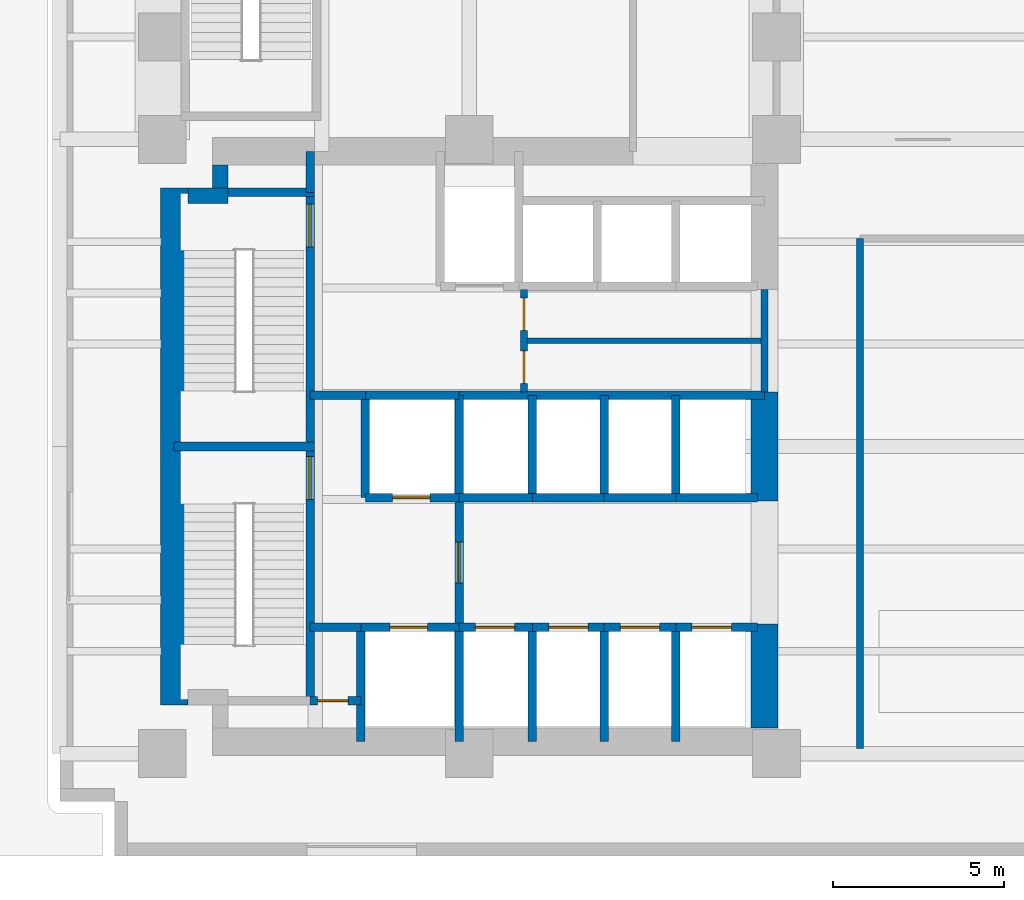
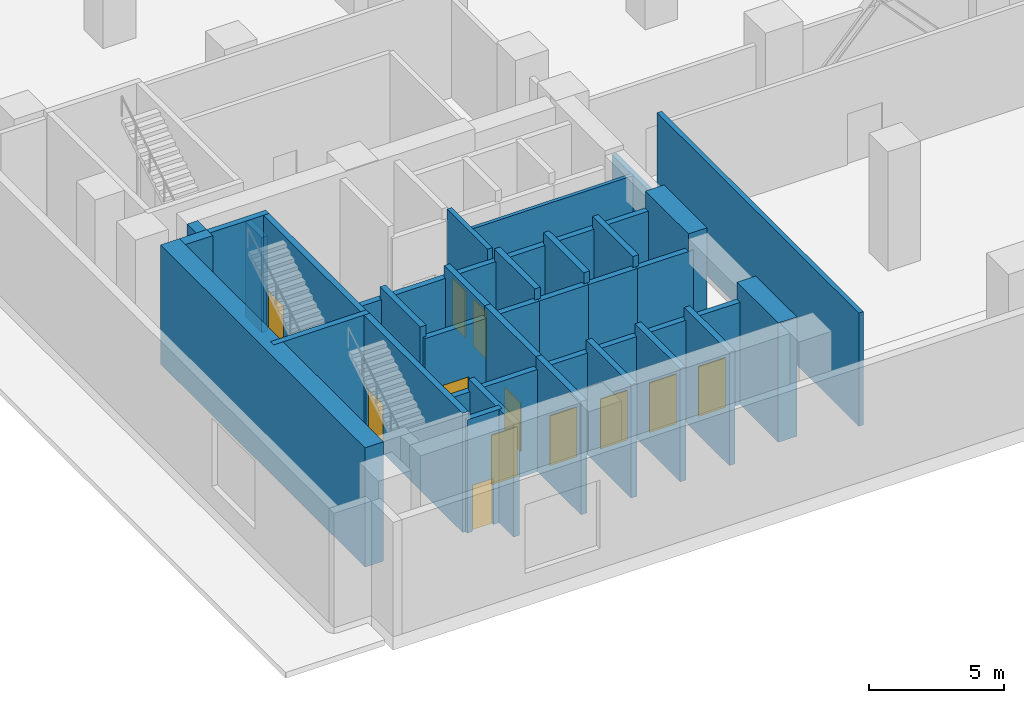
# One storey, part 5 of 8: 40 walls, 12 doors, 12 openings.
"""IFC4 building model written with IfcOpenShell, lengths in metres."""

from ifc_helpers import new_model, si_unit, direction, frame, frame_2d, origin, place, context, subcontext, project, spatial, rectangle, extrude, material, layer, layer_set, type_object, element, fill, save


model = new_model("IFC4")

# Units and contexts
model_context = context("Model", 3, precision=1e-05, world=origin(), true_north=direction((0.0, 1.0)))
body_context = subcontext(model_context, "Body", "Model", "MODEL_VIEW")
ifc_project = project(units=[si_unit("LENGTHUNIT", "METRE"), si_unit("AREAUNIT", "SQUARE_METRE"), si_unit("VOLUMEUNIT", "CUBIC_METRE"), si_unit("PLANEANGLEUNIT", "RADIAN"), si_unit("MASSUNIT", "GRAM", prefix="KILO")], contexts=[model_context])

# Site, building, storey
site_placement = place(None, origin())
site = spatial("IfcSite", under=ifc_project, at=site_placement, CompositionType="ELEMENT")
building_placement = place(site_placement, origin())
building = spatial("IfcBuilding", under=site, at=building_placement, Name="Mawjdan Bourse Tower", CompositionType="ELEMENT")
storey_placement = place(building_placement, frame((0.0, 0.0, 16.199951171875)))
storey = spatial("IfcBuildingStorey", under=building, at=storey_placement, Name="L03", CompositionType="ELEMENT", Elevation=16.199951171875)

# Wall, openings, doors
ifc_material_1 = material(Name="Gypsum Fireboard Assembly")
ifc_layer_1 = layer(ifc_material_1, 0.199951171875)
ifc_layer_set_1 = layer_set([ifc_layer_1], Name="Gypsum Fireboard Assembly")
wall_type_1 = type_object("IfcWallType", Name="WL-CMP-200", PredefinedType="PARTITIONING", material=ifc_layer_set_1)
wall_1_placement = place(storey_placement, frame((16.60009765625, 13.60009765625, 0.0), z_axis=(0.0, 0.0, 1.0), x_axis=(0.0, 1.0, 0.0)))
wall_1 = element("IfcWall", 1, at=wall_1_placement, inside=storey, type_object=wall_type_1, Name="L03 Core Restroom West Wall", PredefinedType="PARTITIONING", context=body_context, shape_type="SweptSolid", body=[
    extrude(rectangle(XDim=3.0, YDim=0.199951171875, at=frame_2d((1.5, 0.0))), origin(), (0.0, 0.0, 1.0), 5.130126953125),
])
opening_1_placement = place(wall_1_placement, frame((0.25, 0.0, 0.0)))
opening_1 = element("IfcOpeningElement", 2, at=opening_1_placement, cuts=wall_1, Name="Opening D-L03-14", PredefinedType="OPENING", context=body_context, shape_type="SweptSolid", body=[
    extrude(rectangle(XDim=0.949951171875, YDim=2.10009765625, at=frame_2d((0.47509765625, 1.050048828125))), frame((0.0, 0.10986328125, 0.0), z_axis=(0.0, -1.0, 0.0), x_axis=(1.0, 0.0, 0.0)), (0.0, 0.0, 1.0), 0.219970703125),
])
opening_2_placement = place(wall_1_placement, frame((1.800048828125, 0.0, 0.0)))
opening_2 = element("IfcOpeningElement", 3, at=opening_2_placement, cuts=wall_1, Name="Opening D-L03-15", PredefinedType="OPENING", context=body_context, shape_type="SweptSolid", body=[
    extrude(rectangle(XDim=0.949951171875, YDim=2.10009765625, at=frame_2d((0.47509765625, 1.050048828125))), frame((0.0, 0.10986328125, 0.0), z_axis=(0.0, -1.0, 0.0), x_axis=(1.0, 0.0, 0.0)), (0.0, 0.0, 1.0), 0.219970703125),
])
ifc_material_2 = material(Name="Moisture-Resistant Laminate Timber", Category="wood")
door_type_1 = type_object("IfcDoorType", Name="DR-WET-0950", OperationType="NOTDEFINED", PredefinedType="DOOR", material=ifc_material_2)
door_1_placement = place(opening_1_placement, origin())
door_1 = element("IfcDoor", 4, at=door_1_placement, inside=storey, type_object=door_type_1, Name="L03 Accessible WC Entry Door D-L03-14", OperationType="SINGLE_SWING_RIGHT", OverallHeight=2.10009765625, OverallWidth=0.949951171875, PredefinedType="DOOR", context=body_context, shape_type="SweptSolid", body=[
    extrude(rectangle(XDim=0.949951171875, YDim=2.10009765625, at=frame_2d((0.47509765625, 1.050048828125))), frame((0.0, 0.02490234375, 0.0), z_axis=(0.0, -1.0, 0.0), x_axis=(1.0, 0.0, 0.0)), (0.0, 0.0, 1.0), 0.050048828125),
])
fill(opening_1, door_1)
door_2_placement = place(opening_2_placement, origin())
door_2 = element("IfcDoor", 5, at=door_2_placement, inside=storey, type_object=door_type_1, Name="L03 Male Restroom Entry Door D-L03-15", OperationType="SINGLE_SWING_LEFT", OverallHeight=2.10009765625, OverallWidth=0.949951171875, PredefinedType="DOOR", context=body_context, shape_type="SweptSolid", body=[
    extrude(rectangle(XDim=0.949951171875, YDim=2.10009765625, at=frame_2d((0.47509765625, 1.050048828125))), frame((0.0, 0.02490234375, 0.0), z_axis=(0.0, -1.0, 0.0), x_axis=(1.0, 0.0, 0.0)), (0.0, 0.0, 1.0), 0.050048828125),
])
fill(opening_2, door_2)

# Walls
wall_2_placement = place(storey_placement, frame((23.64990234375, 13.60009765625, 0.0), z_axis=(0.0, 0.0, 1.0), x_axis=(0.0, 1.0, 0.0)))
element("IfcWall", 6, at=wall_2_placement, inside=storey, type_object=wall_type_1, Name="L03 Core Restroom East Enclosing Wall", PredefinedType="PARTITIONING", context=body_context, shape_type="SweptSolid", body=[
    extrude(rectangle(XDim=3.0, YDim=0.199951171875, at=frame_2d((1.5, 0.0))), origin(), (0.0, 0.0, 1.0), 5.130126953125),
])
wall_3_placement = place(storey_placement, frame((26.449951171875, 3.14990234375, 0.0), z_axis=(0.0, 0.0, 1.0), x_axis=(0.0, 1.0, 0.0)))
element("IfcWall", 7, at=wall_3_placement, inside=storey, type_object=wall_type_1, Name="L03 Surveillance West Corridor Wall", PredefinedType="PARTITIONING", context=body_context, shape_type="SweptSolid", body=[
    extrude(rectangle(XDim=14.9501953125, YDim=0.199951171875, at=frame_2d((7.47509765625, 0.0))), origin(), (0.0, 0.0, 1.0), 5.130126953125),
])
ifc_material_3 = material(Name="Concrete C60/75", Category="concrete")
ifc_layer_2 = layer(ifc_material_3, 0.449951171875)
ifc_layer_set_2 = layer_set([ifc_layer_2], Name="Concrete C60/75")
wall_type_2 = type_object("IfcWallType", Name="WL-CORE-450", PredefinedType="SHEAR", material=ifc_layer_set_2)
wall_4_placement = place(storey_placement, frame((6.75, 19.35009765625, 0.0), z_axis=(0.0, 0.0, 1.0), x_axis=(1.0, 0.0, 0.0)))
element("IfcWall", 8, at=wall_4_placement, inside=storey, type_object=wall_type_2, Name="L03 Rear Core Shear Wall NW-X", PredefinedType="SHEAR", context=body_context, shape_type="SweptSolid", body=[
    extrude(rectangle(XDim=1.175048828125, YDim=0.449951171875, at=frame_2d((0.58740234375, 0.0))), origin(), (0.0, 0.0, 1.0), 5.400146484375),
])
wall_5_placement = place(storey_placement, frame((7.699951171875, 19.574951171875, 0.0), z_axis=(0.0, 0.0, 1.0), x_axis=(0.0, 1.0, 0.0)))
element("IfcWall", 9, at=wall_5_placement, inside=storey, type_object=wall_type_2, Name="L03 Rear Core Shear Wall NW-Y", PredefinedType="SHEAR", context=body_context, shape_type="SweptSolid", body=[
    extrude(rectangle(XDim=0.675048828125, YDim=0.449951171875, at=frame_2d((0.33740234375, 0.0))), origin(), (0.0, 0.0, 1.0), 5.400146484375),
])
ifc_material_4 = material(Name="Concrete C80/95", Category="concrete")
ifc_layer_3 = layer(ifc_material_4, 0.800048828125)
ifc_layer_set_3 = layer_set([ifc_layer_3], Name="Concrete C80/95")
wall_type_3 = type_object("IfcWallType", Name="WL-CORE-800", PredefinedType="SHEAR", material=ifc_layer_set_3)
wall_6_placement = place(storey_placement, frame((6.35009765625, 4.425048828125, 0.0), z_axis=(0.0, 0.0, 1.0), x_axis=(0.0, 1.0, 0.0)))
element("IfcWall", 10, at=wall_6_placement, inside=storey, type_object=wall_type_3, Name="L03 Rear Core Shear Wall W", PredefinedType="SHEAR", context=body_context, shape_type="SweptSolid", body=[
    extrude(rectangle(XDim=15.14990234375, YDim=0.800048828125, at=frame_2d((7.574951171875, 0.0))), origin(), (0.0, 0.0, 1.0), 5.400146484375),
])
wall_7_placement = place(storey_placement, frame((23.64990234375, 3.75, 0.0), z_axis=(0.0, 0.0, 1.0), x_axis=(0.0, 1.0, 0.0)))
element("IfcWall", 11, at=wall_7_placement, inside=storey, type_object=wall_type_3, Name="L03 Rear Core Shear Wall E1", PredefinedType="SHEAR", context=body_context, shape_type="SweptSolid", body=[
    extrude(rectangle(XDim=3.050048828125, YDim=0.800048828125, at=frame_2d((1.52490234375, 0.0))), origin(), (0.0, 0.0, 1.0), 5.400146484375),
])
wall_8_placement = place(storey_placement, frame((23.64990234375, 10.39990234375, 0.0), z_axis=(0.0, 0.0, 1.0), x_axis=(0.0, 1.0, 0.0)))
element("IfcWall", 12, at=wall_8_placement, inside=storey, type_object=wall_type_3, Name="L03 Rear Core Shear Wall E2", PredefinedType="SHEAR", context=body_context, shape_type="SweptSolid", body=[
    extrude(rectangle(XDim=3.2001953125, YDim=0.800048828125, at=frame_2d((1.60009765625, 0.0))), origin(), (0.0, 0.0, 1.0), 5.400146484375),
])
ifc_material_5 = material(Name="Gypsum Acoustic Partition")
ifc_layer_4 = layer(ifc_material_5, 0.14990234375)
ifc_layer_set_4 = layer_set([ifc_layer_4], Name="Gypsum Acoustic Partition")
wall_type_4 = type_object("IfcWallType", Name="WL-PRT-150", PredefinedType="PARTITIONING", material=ifc_layer_set_4)
wall_9_placement = place(storey_placement, frame((16.60009765625, 15.10009765625, 0.0), z_axis=(0.0, 0.0, 1.0), x_axis=(1.0, 0.0, 0.0)))
element("IfcWall", 13, at=wall_9_placement, inside=storey, type_object=wall_type_4, Name="L03 Core Restroom Horizontal Split", PredefinedType="PARTITIONING", context=body_context, shape_type="SweptSolid", body=[
    extrude(rectangle(XDim=7.0498046875, YDim=0.14990234375, at=frame_2d((3.52490234375, 0.0))), origin(), (0.0, 0.0, 1.0), 5.130126953125),
])

# Wall, opening, door
ifc_material_6 = material(Name="Concrete C50/60", Category="concrete")
ifc_layer_5 = layer(ifc_material_6, 0.25)
ifc_layer_set_5 = layer_set([ifc_layer_5], Name="Concrete C50/60")
wall_type_5 = type_object("IfcWallType", Name="WL-SHFT-250", PredefinedType="PARTITIONING", material=ifc_layer_set_5)
wall_10_placement = place(storey_placement, frame((10.330078125, 4.550048828125, 0.0), z_axis=(0.0, 0.0, 1.0), x_axis=(1.0, 0.0, 0.0)))
wall_10 = element("IfcWall", 14, at=wall_10_placement, inside=storey, type_object=wall_type_5, Name="L03 SW Riser North Wall", PredefinedType="PARTITIONING", context=body_context, shape_type="SweptSolid", body=[
    extrude(rectangle(XDim=1.489990234375, YDim=0.25, at=frame_2d((0.7451171875, 0.0))), origin(), (0.0, 0.0, 1.0), 5.130126953125),
])
opening_3_placement = place(wall_10_placement, frame((0.219970703125, 0.0, 0.0)))
opening_3 = element("IfcOpeningElement", 15, at=opening_3_placement, cuts=wall_10, Name="Opening RD-L03-03", PredefinedType="OPENING", context=body_context, shape_type="SweptSolid", body=[
    extrude(rectangle(XDim=0.89990234375, YDim=2.10009765625, at=frame_2d((0.449951171875, 1.050048828125))), frame((0.0, 0.135009765625, 0.0), z_axis=(0.0, -1.0, 0.0), x_axis=(1.0, 0.0, 0.0)), (0.0, 0.0, 1.0), 0.27001953125),
])
ifc_material_7 = material(Name="Fire-Rated Steel Access Leaf", Category="steel")
door_type_2 = type_object("IfcDoorType", Name="FD-RSR-0900", OperationType="NOTDEFINED", PredefinedType="TRAPDOOR", material=ifc_material_7)
door_3_placement = place(opening_3_placement, origin())
door_3 = element("IfcDoor", 16, at=door_3_placement, inside=storey, type_object=door_type_2, Name="L03 Electrical Riser Access Door RD-L03-03", OperationType="SINGLE_SWING_RIGHT", OverallHeight=2.10009765625, OverallWidth=0.89990234375, PredefinedType="TRAPDOOR", context=body_context, shape_type="SweptSolid", body=[
    extrude(rectangle(XDim=0.89990234375, YDim=2.10009765625, at=frame_2d((0.449951171875, 1.050048828125))), frame((0.0, 0.02490234375, 0.0), z_axis=(0.0, -1.0, 0.0), x_axis=(1.0, 0.0, 0.0)), (0.0, 0.0, 1.0), 0.050048828125),
])
fill(opening_3, door_3)

# Walls
wall_11_placement = place(storey_placement, frame((11.820068359375, 3.35009765625, 0.0), z_axis=(0.0, 0.0, 1.0), x_axis=(0.0, 1.0, 0.0)))
element("IfcWall", 17, at=wall_11_placement, inside=storey, type_object=wall_type_5, Name="L03 SW Riser & FFL01 West Wall", PredefinedType="PARTITIONING", context=body_context, shape_type="SweptSolid", body=[
    extrude(rectangle(XDim=3.349853515625, YDim=0.25, at=frame_2d((1.6748046875, 0.0))), origin(), (0.0, 0.0, 1.0), 5.130126953125),
])
wall_12_placement = place(storey_placement, frame((10.330078125, 19.449951171875, 0.0), z_axis=(0.0, 0.0, 1.0), x_axis=(0.0, 1.0, 0.0)))
element("IfcWall", 18, at=wall_12_placement, inside=storey, type_object=wall_type_5, Name="L03 NW Riser East Wall", PredefinedType="PARTITIONING", context=body_context, shape_type="SweptSolid", body=[
    extrude(rectangle(XDim=1.199951171875, YDim=0.25, at=frame_2d((0.60009765625, 0.0))), origin(), (0.0, 0.0, 1.0), 4.31396484375),
])

# Wall, opening, door
wall_13_placement = place(storey_placement, frame((11.820068359375, 6.699951171875, 0.0), z_axis=(0.0, 0.0, 1.0), x_axis=(1.0, 0.0, 0.0)))
wall_13 = element("IfcWall", 19, at=wall_13_placement, inside=storey, type_object=wall_type_5, Name="L03 FFL-01 Front Shaft Wall", PredefinedType="PARTITIONING", context=body_context, shape_type="SweptSolid", body=[
    extrude(rectangle(XDim=2.8798828125, YDim=0.25, at=frame_2d((1.43994140625, 0.0))), origin(), (0.0, 0.0, 1.0), 4.6259765625),
])
opening_4_placement = place(wall_13_placement, frame((0.85009765625, 0.0, 0.0)))
opening_4 = element("IfcOpeningElement", 20, at=opening_4_placement, cuts=wall_13, Name="Opening LD-L03-05", PredefinedType="OPENING", context=body_context, shape_type="SweptSolid", body=[
    extrude(rectangle(XDim=1.10009765625, YDim=2.25, at=frame_2d((0.550048828125, 1.125))), frame((0.0, 0.135009765625, 0.0), z_axis=(0.0, -1.0, 0.0), x_axis=(1.0, 0.0, 0.0)), (0.0, 0.0, 1.0), 0.27001953125),
])
ifc_material_8 = material(Name="Brushed Stainless Steel", Category="steel")
door_type_3 = type_object("IfcDoorType", Name="LD-FFL-1100", OperationType="DOUBLE_DOOR_SLIDING", PredefinedType="DOOR", material=ifc_material_8)
door_4_placement = place(opening_4_placement, origin())
door_4 = element("IfcDoor", 21, at=door_4_placement, inside=storey, type_object=door_type_3, Name="L03 Firefighting Lift FFL-01 Landing Door LD-L03-05", OperationType="DOUBLE_DOOR_SLIDING", OverallHeight=2.25, OverallWidth=1.10009765625, PredefinedType="DOOR", context=body_context, shape_type="SweptSolid", body=[
    extrude(rectangle(XDim=1.10009765625, YDim=2.25, at=frame_2d((0.550048828125, 1.125))), frame((0.0, 0.02490234375, 0.0), z_axis=(0.0, -1.0, 0.0), x_axis=(1.0, 0.0, 0.0)), (0.0, 0.0, 1.0), 0.050048828125),
])
fill(opening_4, door_4)

# Wall
wall_14_placement = place(storey_placement, frame((14.699951171875, 3.35009765625, 0.0), z_axis=(0.0, 0.0, 1.0), x_axis=(0.0, 1.0, 0.0)))
element("IfcWall", 22, at=wall_14_placement, inside=storey, type_object=wall_type_5, Name="L03 FFL-01 East Shaft Wall", PredefinedType="PARTITIONING", context=body_context, shape_type="SweptSolid", body=[
    extrude(rectangle(XDim=3.349853515625, YDim=0.25, at=frame_2d((1.6748046875, 0.0))), origin(), (0.0, 0.0, 1.0), 5.130126953125),
])

# Wall, opening, door
wall_15_placement = place(storey_placement, frame((11.949951171875, 10.5, 0.0), z_axis=(0.0, 0.0, 1.0), x_axis=(1.0, 0.0, 0.0)))
wall_15 = element("IfcWall", 23, at=wall_15_placement, inside=storey, type_object=wall_type_5, Name="L03 FFL-02 Front Shaft Wall", PredefinedType="PARTITIONING", context=body_context, shape_type="SweptSolid", body=[
    extrude(rectangle(XDim=2.75, YDim=0.25, at=frame_2d((1.375, 0.0))), origin(), (0.0, 0.0, 1.0), 4.6259765625),
])
opening_5_placement = place(wall_15_placement, frame((0.800048828125, 0.0, 0.0)))
opening_5 = element("IfcOpeningElement", 24, at=opening_5_placement, cuts=wall_15, Name="Opening LD-L03-06", PredefinedType="OPENING", context=body_context, shape_type="SweptSolid", body=[
    extrude(rectangle(XDim=1.10009765625, YDim=2.25, at=frame_2d((0.550048828125, 1.125))), frame((0.0, 0.135009765625, 0.0), z_axis=(0.0, -1.0, 0.0), x_axis=(1.0, 0.0, 0.0)), (0.0, 0.0, 1.0), 0.27001953125),
])
door_5_placement = place(opening_5_placement, origin())
door_5 = element("IfcDoor", 25, at=door_5_placement, inside=storey, type_object=door_type_3, Name="L03 Firefighting Lift FFL-02 Landing Door LD-L03-06", OperationType="DOUBLE_DOOR_SLIDING", OverallHeight=2.25, OverallWidth=1.10009765625, PredefinedType="DOOR", context=body_context, shape_type="SweptSolid", body=[
    extrude(rectangle(XDim=1.10009765625, YDim=2.25, at=frame_2d((0.550048828125, 1.125))), frame((0.0, 0.02490234375, 0.0), z_axis=(0.0, -1.0, 0.0), x_axis=(1.0, 0.0, 0.0)), (0.0, 0.0, 1.0), 0.050048828125),
])
fill(opening_5, door_5)

# Walls
wall_16_placement = place(storey_placement, frame((11.949951171875, 10.5, 0.0), z_axis=(0.0, 0.0, 1.0), x_axis=(0.0, 1.0, 0.0)))
element("IfcWall", 26, at=wall_16_placement, inside=storey, type_object=wall_type_5, Name="L03 FFL-02 West Shaft Wall", PredefinedType="PARTITIONING", context=body_context, shape_type="SweptSolid", body=[
    extrude(rectangle(XDim=3.0, YDim=0.25, at=frame_2d((1.5, 0.0))), origin(), (0.0, 0.0, 1.0), 5.130126953125),
])
wall_17_placement = place(storey_placement, frame((11.949951171875, 13.5, 0.0), z_axis=(0.0, 0.0, 1.0), x_axis=(1.0, 0.0, 0.0)))
element("IfcWall", 27, at=wall_17_placement, inside=storey, type_object=wall_type_5, Name="L03 FFL-02 North Shaft Wall", PredefinedType="PARTITIONING", context=body_context, shape_type="SweptSolid", body=[
    extrude(rectangle(XDim=2.75, YDim=0.25, at=frame_2d((1.375, 0.0))), origin(), (0.0, 0.0, 1.0), 4.6259765625),
])
wall_18_placement = place(storey_placement, frame((14.699951171875, 10.5, 0.0), z_axis=(0.0, 0.0, 1.0), x_axis=(0.0, 1.0, 0.0)))
element("IfcWall", 28, at=wall_18_placement, inside=storey, type_object=wall_type_5, Name="L03 FFL-02 East Shaft Wall", PredefinedType="PARTITIONING", context=body_context, shape_type="SweptSolid", body=[
    extrude(rectangle(XDim=3.0, YDim=0.25, at=frame_2d((1.5, 0.0))), origin(), (0.0, 0.0, 1.0), 5.130126953125),
])

# Wall, opening, door
wall_19_placement = place(storey_placement, frame((14.699951171875, 6.699951171875, 0.0), z_axis=(0.0, 0.0, 1.0), x_axis=(0.0, 1.0, 0.0)))
wall_19 = element("IfcWall", 29, at=wall_19_placement, inside=storey, type_object=wall_type_5, Name="L03 Firefighting Lobby East Compartment Wall", PredefinedType="PARTITIONING", context=body_context, shape_type="SweptSolid", body=[
    extrude(rectangle(XDim=3.800048828125, YDim=0.25, at=frame_2d((1.89990234375, 0.0))), origin(), (0.0, 0.0, 1.0), 5.130126953125),
])
opening_6_placement = place(wall_19_placement, frame((1.300048828125, 0.0, 0.0)))
opening_6 = element("IfcOpeningElement", 30, at=opening_6_placement, cuts=wall_19, Name="Opening FD-L03-07", PredefinedType="OPENING", context=body_context, shape_type="SweptSolid", body=[
    extrude(rectangle(XDim=1.199951171875, YDim=2.199951171875, at=frame_2d((0.60009765625, 1.10009765625))), frame((0.0, 0.135009765625, 0.0), z_axis=(0.0, -1.0, 0.0), x_axis=(1.0, 0.0, 0.0)), (0.0, 0.0, 1.0), 0.27001953125),
])
ifc_material_9 = material(Name="Fire-Rated Steel Leaf", Category="steel")
door_type_4 = type_object("IfcDoorType", Name="FD-FFL-1200", OperationType="NOTDEFINED", PredefinedType="DOOR", material=ifc_material_9)
door_6_placement = place(opening_6_placement, origin())
door_6 = element("IfcDoor", 31, at=door_6_placement, inside=storey, type_object=door_type_4, Name="L03 Firefighting Lobby East Smoke Door FD-L03-07", OperationType="SINGLE_SWING_RIGHT", OverallHeight=2.199951171875, OverallWidth=1.199951171875, PredefinedType="DOOR", context=body_context, shape_type="SweptSolid", body=[
    extrude(rectangle(XDim=1.199951171875, YDim=2.199951171875, at=frame_2d((0.60009765625, 1.10009765625))), frame((0.0, 0.02490234375, 0.0), z_axis=(0.0, -1.0, 0.0), x_axis=(1.0, 0.0, 0.0)), (0.0, 0.0, 1.0), 0.050048828125),
])
fill(opening_6, door_6)

# Walls
wall_20_placement = place(storey_placement, frame((10.330078125, 13.5, 0.0), z_axis=(0.0, 0.0, 1.0), x_axis=(1.0, 0.0, 0.0)))
element("IfcWall", 32, at=wall_20_placement, inside=storey, type_object=wall_type_5, Name="L03 Firefighting Lobby North Compartment Wall", PredefinedType="PARTITIONING", context=body_context, shape_type="SweptSolid", body=[
    extrude(rectangle(XDim=1.619873046875, YDim=0.25, at=frame_2d((0.81005859375, 0.0))), origin(), (0.0, 0.0, 1.0), 4.6259765625),
])
wall_21_placement = place(storey_placement, frame((10.330078125, 6.699951171875, 0.0), z_axis=(0.0, 0.0, 1.0), x_axis=(1.0, 0.0, 0.0)))
element("IfcWall", 33, at=wall_21_placement, inside=storey, type_object=wall_type_5, Name="L03 Firefighting Lobby South Closure Wall", PredefinedType="PARTITIONING", context=body_context, shape_type="SweptSolid", body=[
    extrude(rectangle(XDim=1.489990234375, YDim=0.25, at=frame_2d((0.7451171875, 0.0))), origin(), (0.0, 0.0, 1.0), 4.6259765625),
])

# Wall, opening, door
wall_22_placement = place(storey_placement, frame((14.699951171875, 6.699951171875, 0.0), z_axis=(0.0, 0.0, 1.0), x_axis=(1.0, 0.0, 0.0)))
wall_22 = element("IfcWall", 34, at=wall_22_placement, inside=storey, type_object=wall_type_5, Name="L03 PL-04 Front Wall", PredefinedType="PARTITIONING", context=body_context, shape_type="SweptSolid", body=[
    extrude(rectangle(XDim=2.150146484375, YDim=0.25, at=frame_2d((1.0751953125, 0.0))), origin(), (0.0, 0.0, 1.0), 4.6259765625),
])
opening_7_placement = place(wall_22_placement, frame((0.47998046875, 0.0, 0.0)))
opening_7 = element("IfcOpeningElement", 35, at=opening_7_placement, cuts=wall_22, Name="Opening LD-L03-10", PredefinedType="OPENING", context=body_context, shape_type="SweptSolid", body=[
    extrude(rectangle(XDim=1.14990234375, YDim=2.25, at=frame_2d((0.574951171875, 1.125))), frame((0.0, 0.135009765625, 0.0), z_axis=(0.0, -1.0, 0.0), x_axis=(1.0, 0.0, 0.0)), (0.0, 0.0, 1.0), 0.27001953125),
])
door_type_5 = type_object("IfcDoorType", Name="LD-PAS-1150", OperationType="DOUBLE_DOOR_SLIDING", PredefinedType="DOOR", material=ifc_material_8)
door_7_placement = place(opening_7_placement, origin())
door_7 = element("IfcDoor", 36, at=door_7_placement, inside=storey, type_object=door_type_5, Name="L03 Lift PL-04 Landing Door LD-L03-10", OperationType="DOUBLE_DOOR_SLIDING", OverallHeight=2.25, OverallWidth=1.14990234375, PredefinedType="DOOR", context=body_context, shape_type="SweptSolid", body=[
    extrude(rectangle(XDim=1.14990234375, YDim=2.25, at=frame_2d((0.574951171875, 1.125))), frame((0.0, 0.02490234375, 0.0), z_axis=(0.0, -1.0, 0.0), x_axis=(1.0, 0.0, 0.0)), (0.0, 0.0, 1.0), 0.050048828125),
])
fill(opening_7, door_7)

# Wall
wall_23_placement = place(storey_placement, frame((16.85009765625, 3.35009765625, 0.0), z_axis=(0.0, 0.0, 1.0), x_axis=(0.0, 1.0, 0.0)))
element("IfcWall", 37, at=wall_23_placement, inside=storey, type_object=wall_type_5, Name="L03 PL-04 Divider Wall", PredefinedType="PARTITIONING", context=body_context, shape_type="SweptSolid", body=[
    extrude(rectangle(XDim=3.349853515625, YDim=0.25, at=frame_2d((1.6748046875, 0.0))), origin(), (0.0, 0.0, 1.0), 5.130126953125),
])

# Wall, opening, door
wall_24_placement = place(storey_placement, frame((16.85009765625, 6.699951171875, 0.0), z_axis=(0.0, 0.0, 1.0), x_axis=(1.0, 0.0, 0.0)))
wall_24 = element("IfcWall", 38, at=wall_24_placement, inside=storey, type_object=wall_type_5, Name="L03 PL-01 Front Wall", PredefinedType="PARTITIONING", context=body_context, shape_type="SweptSolid", body=[
    extrude(rectangle(XDim=2.099853515625, YDim=0.25, at=frame_2d((1.0498046875, 0.0))), origin(), (0.0, 0.0, 1.0), 4.6259765625),
])
opening_8_placement = place(wall_24_placement, frame((0.47998046875, 0.0, 0.0)))
opening_8 = element("IfcOpeningElement", 39, at=opening_8_placement, cuts=wall_24, Name="Opening LD-L03-11", PredefinedType="OPENING", context=body_context, shape_type="SweptSolid", body=[
    extrude(rectangle(XDim=1.14990234375, YDim=2.25, at=frame_2d((0.574951171875, 1.125))), frame((0.0, 0.135009765625, 0.0), z_axis=(0.0, -1.0, 0.0), x_axis=(1.0, 0.0, 0.0)), (0.0, 0.0, 1.0), 0.27001953125),
])
door_8_placement = place(opening_8_placement, origin())
door_8 = element("IfcDoor", 40, at=door_8_placement, inside=storey, type_object=door_type_5, Name="L03 Lift PL-01 Landing Door LD-L03-11", OperationType="DOUBLE_DOOR_SLIDING", OverallHeight=2.25, OverallWidth=1.14990234375, PredefinedType="DOOR", context=body_context, shape_type="SweptSolid", body=[
    extrude(rectangle(XDim=1.14990234375, YDim=2.25, at=frame_2d((0.574951171875, 1.125))), frame((0.0, 0.02490234375, 0.0), z_axis=(0.0, -1.0, 0.0), x_axis=(1.0, 0.0, 0.0)), (0.0, 0.0, 1.0), 0.050048828125),
])
fill(opening_8, door_8)

# Wall
wall_25_placement = place(storey_placement, frame((18.949951171875, 3.35009765625, 0.0), z_axis=(0.0, 0.0, 1.0), x_axis=(0.0, 1.0, 0.0)))
element("IfcWall", 41, at=wall_25_placement, inside=storey, type_object=wall_type_5, Name="L03 PL-01 Divider Wall", PredefinedType="PARTITIONING", context=body_context, shape_type="SweptSolid", body=[
    extrude(rectangle(XDim=3.349853515625, YDim=0.25, at=frame_2d((1.6748046875, 0.0))), origin(), (0.0, 0.0, 1.0), 5.130126953125),
])

# Wall, opening, door
wall_26_placement = place(storey_placement, frame((18.949951171875, 6.699951171875, 0.0), z_axis=(0.0, 0.0, 1.0), x_axis=(1.0, 0.0, 0.0)))
wall_26 = element("IfcWall", 42, at=wall_26_placement, inside=storey, type_object=wall_type_5, Name="L03 PL-02 Front Wall", PredefinedType="PARTITIONING", context=body_context, shape_type="SweptSolid", body=[
    extrude(rectangle(XDim=2.10009765625, YDim=0.25, at=frame_2d((1.050048828125, 0.0))), origin(), (0.0, 0.0, 1.0), 4.6259765625),
])
opening_9_placement = place(wall_26_placement, frame((0.47998046875, 0.0, 0.0)))
opening_9 = element("IfcOpeningElement", 43, at=opening_9_placement, cuts=wall_26, Name="Opening LD-L03-12", PredefinedType="OPENING", context=body_context, shape_type="SweptSolid", body=[
    extrude(rectangle(XDim=1.14990234375, YDim=2.25, at=frame_2d((0.574951171875, 1.125))), frame((0.0, 0.135009765625, 0.0), z_axis=(0.0, -1.0, 0.0), x_axis=(1.0, 0.0, 0.0)), (0.0, 0.0, 1.0), 0.27001953125),
])
door_9_placement = place(opening_9_placement, origin())
door_9 = element("IfcDoor", 44, at=door_9_placement, inside=storey, type_object=door_type_5, Name="L03 Lift PL-02 Landing Door LD-L03-12", OperationType="DOUBLE_DOOR_SLIDING", OverallHeight=2.25, OverallWidth=1.14990234375, PredefinedType="DOOR", context=body_context, shape_type="SweptSolid", body=[
    extrude(rectangle(XDim=1.14990234375, YDim=2.25, at=frame_2d((0.574951171875, 1.125))), frame((0.0, 0.02490234375, 0.0), z_axis=(0.0, -1.0, 0.0), x_axis=(1.0, 0.0, 0.0)), (0.0, 0.0, 1.0), 0.050048828125),
])
fill(opening_9, door_9)

# Wall
wall_27_placement = place(storey_placement, frame((21.050048828125, 3.35009765625, 0.0), z_axis=(0.0, 0.0, 1.0), x_axis=(0.0, 1.0, 0.0)))
element("IfcWall", 45, at=wall_27_placement, inside=storey, type_object=wall_type_5, Name="L03 PL-02 Divider Wall", PredefinedType="PARTITIONING", context=body_context, shape_type="SweptSolid", body=[
    extrude(rectangle(XDim=3.349853515625, YDim=0.25, at=frame_2d((1.6748046875, 0.0))), origin(), (0.0, 0.0, 1.0), 5.130126953125),
])

# Wall, opening, door
wall_28_placement = place(storey_placement, frame((21.050048828125, 6.699951171875, 0.0), z_axis=(0.0, 0.0, 1.0), x_axis=(1.0, 0.0, 0.0)))
wall_28 = element("IfcWall", 46, at=wall_28_placement, inside=storey, type_object=wall_type_5, Name="L03 PL-03 Front Wall", PredefinedType="PARTITIONING", context=body_context, shape_type="SweptSolid", body=[
    extrude(rectangle(XDim=2.39990234375, YDim=0.25, at=frame_2d((1.199951171875, 0.0))), origin(), (0.0, 0.0, 1.0), 4.6259765625),
])
opening_10_placement = place(wall_28_placement, frame((0.47998046875, 0.0, 0.0)))
opening_10 = element("IfcOpeningElement", 47, at=opening_10_placement, cuts=wall_28, Name="Opening LD-L03-13", PredefinedType="OPENING", context=body_context, shape_type="SweptSolid", body=[
    extrude(rectangle(XDim=1.14990234375, YDim=2.25, at=frame_2d((0.574951171875, 1.125))), frame((0.0, 0.135009765625, 0.0), z_axis=(0.0, -1.0, 0.0), x_axis=(1.0, 0.0, 0.0)), (0.0, 0.0, 1.0), 0.27001953125),
])
door_10_placement = place(opening_10_placement, origin())
door_10 = element("IfcDoor", 48, at=door_10_placement, inside=storey, type_object=door_type_5, Name="L03 Lift PL-03 Landing Door LD-L03-13", OperationType="DOUBLE_DOOR_SLIDING", OverallHeight=2.25, OverallWidth=1.14990234375, PredefinedType="DOOR", context=body_context, shape_type="SweptSolid", body=[
    extrude(rectangle(XDim=1.14990234375, YDim=2.25, at=frame_2d((0.574951171875, 1.125))), frame((0.0, 0.02490234375, 0.0), z_axis=(0.0, -1.0, 0.0), x_axis=(1.0, 0.0, 0.0)), (0.0, 0.0, 1.0), 0.050048828125),
])
fill(opening_10, door_10)

# Walls
wall_29_placement = place(storey_placement, frame((14.699951171875, 10.5, 0.0), z_axis=(0.0, 0.0, 1.0), x_axis=(1.0, 0.0, 0.0)))
element("IfcWall", 49, at=wall_29_placement, inside=storey, type_object=wall_type_5, Name="L03 PM-01 Front Wall", PredefinedType="PARTITIONING", context=body_context, shape_type="SweptSolid", body=[
    extrude(rectangle(XDim=2.150146484375, YDim=0.25, at=frame_2d((1.0751953125, 0.0))), origin(), (0.0, 0.0, 1.0), 4.6259765625),
])
wall_30_placement = place(storey_placement, frame((16.85009765625, 10.5, 0.0), z_axis=(0.0, 0.0, 1.0), x_axis=(0.0, 1.0, 0.0)))
element("IfcWall", 50, at=wall_30_placement, inside=storey, type_object=wall_type_5, Name="L03 PM-01 Divider Wall", PredefinedType="PARTITIONING", context=body_context, shape_type="SweptSolid", body=[
    extrude(rectangle(XDim=3.0, YDim=0.25, at=frame_2d((1.5, 0.0))), origin(), (0.0, 0.0, 1.0), 5.130126953125),
])
wall_31_placement = place(storey_placement, frame((16.85009765625, 10.5, 0.0), z_axis=(0.0, 0.0, 1.0), x_axis=(1.0, 0.0, 0.0)))
element("IfcWall", 51, at=wall_31_placement, inside=storey, type_object=wall_type_5, Name="L03 PM-02 Front Wall", PredefinedType="PARTITIONING", context=body_context, shape_type="SweptSolid", body=[
    extrude(rectangle(XDim=2.099853515625, YDim=0.25, at=frame_2d((1.0498046875, 0.0))), origin(), (0.0, 0.0, 1.0), 4.6259765625),
])
wall_32_placement = place(storey_placement, frame((18.949951171875, 10.5, 0.0), z_axis=(0.0, 0.0, 1.0), x_axis=(0.0, 1.0, 0.0)))
element("IfcWall", 52, at=wall_32_placement, inside=storey, type_object=wall_type_5, Name="L03 PM-02 Divider Wall", PredefinedType="PARTITIONING", context=body_context, shape_type="SweptSolid", body=[
    extrude(rectangle(XDim=3.0, YDim=0.25, at=frame_2d((1.5, 0.0))), origin(), (0.0, 0.0, 1.0), 5.130126953125),
])
wall_33_placement = place(storey_placement, frame((18.949951171875, 10.5, 0.0), z_axis=(0.0, 0.0, 1.0), x_axis=(1.0, 0.0, 0.0)))
element("IfcWall", 53, at=wall_33_placement, inside=storey, type_object=wall_type_5, Name="L03 PM-03 Front Wall", PredefinedType="PARTITIONING", context=body_context, shape_type="SweptSolid", body=[
    extrude(rectangle(XDim=2.10009765625, YDim=0.25, at=frame_2d((1.050048828125, 0.0))), origin(), (0.0, 0.0, 1.0), 4.6259765625),
])
wall_34_placement = place(storey_placement, frame((21.050048828125, 10.5, 0.0), z_axis=(0.0, 0.0, 1.0), x_axis=(0.0, 1.0, 0.0)))
element("IfcWall", 54, at=wall_34_placement, inside=storey, type_object=wall_type_5, Name="L03 PM-03 Divider Wall", PredefinedType="PARTITIONING", context=body_context, shape_type="SweptSolid", body=[
    extrude(rectangle(XDim=3.0, YDim=0.25, at=frame_2d((1.5, 0.0))), origin(), (0.0, 0.0, 1.0), 5.130126953125),
])
wall_35_placement = place(storey_placement, frame((21.050048828125, 10.5, 0.0), z_axis=(0.0, 0.0, 1.0), x_axis=(1.0, 0.0, 0.0)))
element("IfcWall", 55, at=wall_35_placement, inside=storey, type_object=wall_type_5, Name="L03 PM-04 Front Wall", PredefinedType="PARTITIONING", context=body_context, shape_type="SweptSolid", body=[
    extrude(rectangle(XDim=2.39990234375, YDim=0.25, at=frame_2d((1.199951171875, 0.0))), origin(), (0.0, 0.0, 1.0), 4.6259765625),
])
wall_36_placement = place(storey_placement, frame((14.699951171875, 13.5, 0.0), z_axis=(0.0, 0.0, 1.0), x_axis=(1.0, 0.0, 0.0)))
element("IfcWall", 56, at=wall_36_placement, inside=storey, type_object=wall_type_5, Name="L03 PM Bank North Shaft Back Wall", PredefinedType="PARTITIONING", context=body_context, shape_type="SweptSolid", body=[
    extrude(rectangle(XDim=8.949951171875, YDim=0.25, at=frame_2d((4.47509765625, 0.0))), origin(), (0.0, 0.0, 1.0), 4.6259765625),
])
ifc_layer_6 = layer(ifc_material_6, 0.25)
ifc_layer_set_6 = layer_set([ifc_layer_6], Name="Concrete C50/60")
wall_type_6 = type_object("IfcWallType", Name="WL-STRW-250", PredefinedType="SHEAR", material=ifc_layer_set_6)
wall_37_placement = place(storey_placement, frame((6.35009765625, 12.0, 0.0), z_axis=(0.0, 0.0, 1.0), x_axis=(1.0, 0.0, 0.0)))
element("IfcWall", 57, at=wall_37_placement, inside=storey, type_object=wall_type_6, Name="L03 Stairwell Dividing Shaft Wall", PredefinedType="SHEAR", context=body_context, shape_type="SweptSolid", body=[
    extrude(rectangle(XDim=4.10498046875, YDim=0.25, at=frame_2d((2.052490234375, 0.0))), origin(), (0.0, 0.0, 1.0), 5.400146484375),
])
wall_38_placement = place(storey_placement, frame((7.699951171875, 19.449951171875, 0.0), z_axis=(0.0, 0.0, 1.0), x_axis=(1.0, 0.0, 0.0)))
element("IfcWall", 58, at=wall_38_placement, inside=storey, type_object=wall_type_6, Name="L03 Stairwell ST2 North Shaft Wall", PredefinedType="SHEAR", context=body_context, shape_type="SweptSolid", body=[
    extrude(rectangle(XDim=2.755126953125, YDim=0.25, at=frame_2d((1.37744140625, 0.0))), origin(), (0.0, 0.0, 1.0), 5.400146484375),
])

# Wall, opening, door
wall_39_placement = place(storey_placement, frame((10.330078125, 4.550048828125, 0.0), z_axis=(0.0, 0.0, 1.0), x_axis=(0.0, 1.0, 0.0)))
wall_39 = element("IfcWall", 59, at=wall_39_placement, inside=storey, type_object=wall_type_6, Name="L03 Stairwell ST1 East Enclosure Wall", PredefinedType="SHEAR", context=body_context, shape_type="SweptSolid", body=[
    extrude(rectangle(XDim=7.449951171875, YDim=0.25, at=frame_2d((3.72509765625, 0.0))), origin(), (0.0, 0.0, 1.0), 5.400146484375),
])
opening_11_placement = place(wall_39_placement, frame((5.89990234375, 0.0, 0.0)))
opening_11 = element("IfcOpeningElement", 60, at=opening_11_placement, cuts=wall_39, Name="Opening SD-L03-01", PredefinedType="OPENING", context=body_context, shape_type="SweptSolid", body=[
    extrude(rectangle(XDim=1.25, YDim=2.199951171875, at=frame_2d((0.625, 1.10009765625))), frame((0.0, 0.135009765625, 0.0), z_axis=(0.0, -1.0, 0.0), x_axis=(1.0, 0.0, 0.0)), (0.0, 0.0, 1.0), 0.27001953125),
])
door_type_6 = type_object("IfcDoorType", Name="FD-ST-1250", OperationType="NOTDEFINED", PredefinedType="DOOR", material=ifc_material_9)
door_11_placement = place(opening_11_placement, origin())
door_11 = element("IfcDoor", 61, at=door_11_placement, inside=storey, type_object=door_type_6, Name="L03 Exit Stair ST1 Fire Door SD-L03-01", OperationType="SINGLE_SWING_RIGHT", OverallHeight=2.199951171875, OverallWidth=1.25, PredefinedType="DOOR", context=body_context, shape_type="SweptSolid", body=[
    extrude(rectangle(XDim=1.25, YDim=2.199951171875, at=frame_2d((0.625, 1.10009765625))), frame((0.0, 0.02490234375, 0.0), z_axis=(0.0, -1.0, 0.0), x_axis=(1.0, 0.0, 0.0)), (0.0, 0.0, 1.0), 0.050048828125),
])
fill(opening_11, door_11)

wall_40_placement = place(storey_placement, frame((10.330078125, 12.0, 0.0), z_axis=(0.0, 0.0, 1.0), x_axis=(0.0, 1.0, 0.0)))
wall_40 = element("IfcWall", 62, at=wall_40_placement, inside=storey, type_object=wall_type_6, Name="L03 Stairwell ST2 East Enclosure Wall", PredefinedType="SHEAR", context=body_context, shape_type="SweptSolid", body=[
    extrude(rectangle(XDim=7.449951171875, YDim=0.25, at=frame_2d((3.72509765625, 0.0))), origin(), (0.0, 0.0, 1.0), 5.400146484375),
])
opening_12_placement = place(wall_40_placement, frame((5.85009765625, 0.0, 0.0)))
opening_12 = element("IfcOpeningElement", 63, at=opening_12_placement, cuts=wall_40, Name="Opening SD-L03-02", PredefinedType="OPENING", context=body_context, shape_type="SweptSolid", body=[
    extrude(rectangle(XDim=1.25, YDim=2.199951171875, at=frame_2d((0.625, 1.10009765625))), frame((0.0, 0.135009765625, 0.0), z_axis=(0.0, -1.0, 0.0), x_axis=(1.0, 0.0, 0.0)), (0.0, 0.0, 1.0), 0.27001953125),
])
door_12_placement = place(opening_12_placement, origin())
door_12 = element("IfcDoor", 64, at=door_12_placement, inside=storey, type_object=door_type_6, Name="L03 Exit Stair ST2 Fire Door SD-L03-02", OperationType="SINGLE_SWING_LEFT", OverallHeight=2.199951171875, OverallWidth=1.25, PredefinedType="DOOR", context=body_context, shape_type="SweptSolid", body=[
    extrude(rectangle(XDim=1.25, YDim=2.199951171875, at=frame_2d((0.625, 1.10009765625))), frame((0.0, 0.02490234375, 0.0), z_axis=(0.0, -1.0, 0.0), x_axis=(1.0, 0.0, 0.0)), (0.0, 0.0, 1.0), 0.050048828125),
])
fill(opening_12, door_12)

save(model, "model.ifc")
